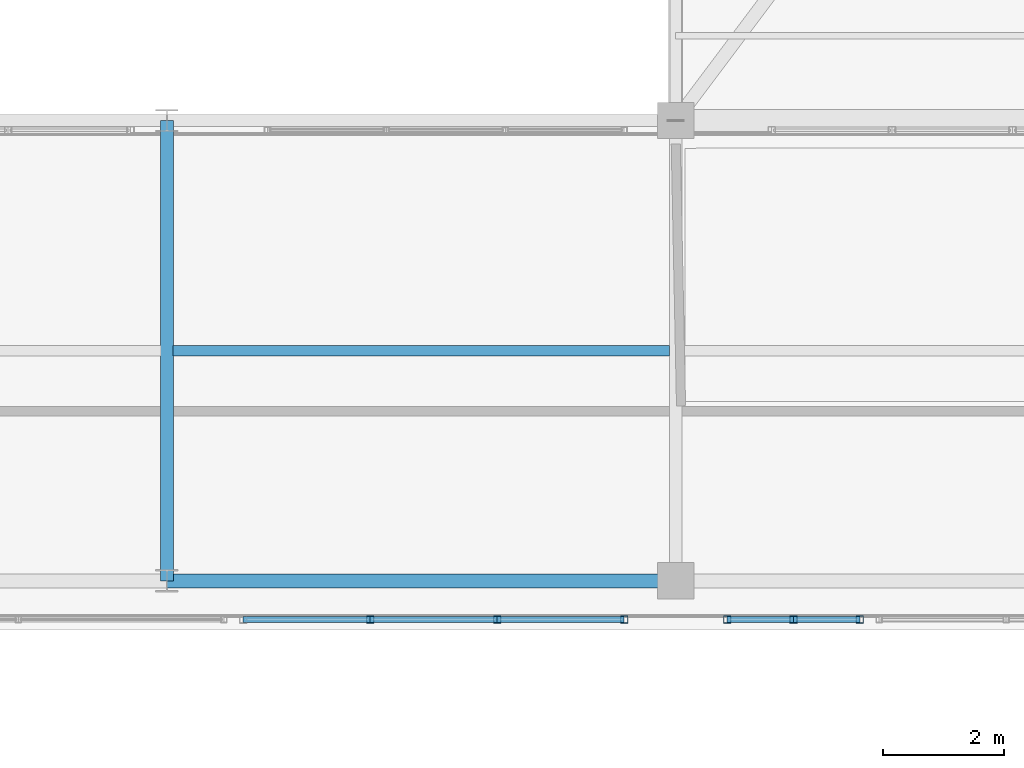
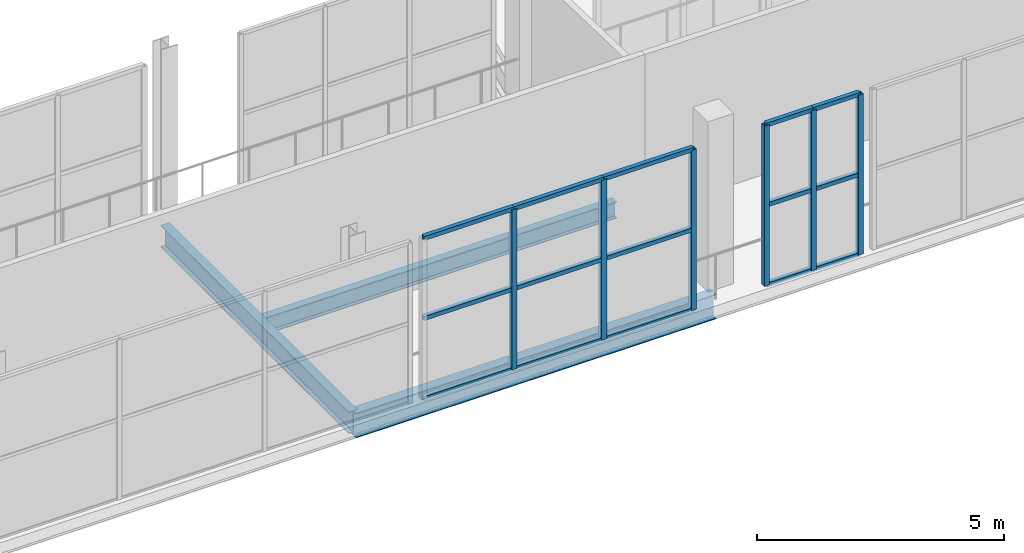
# One storey, part 61 of 217: 21 members, 3 beams, 2 elements without a shape of their own.
"""IFC4 building model written with IfcOpenShell, lengths in metres."""

from ifc_helpers import new_model, si_unit, direction, frame, origin, origin_2d, place, context, subcontext, project, spatial, hollow_rectangle, i_section, extrude, material, material_profile, profile_set, type_object, element, aggregate, save


model = new_model("IFC4")

# Units and contexts
model_context = context("Model", 3, precision=1e-05, world=origin(), true_north=direction((0.0, 1.0)))
body_context = subcontext(model_context, "Body", "Model", "MODEL_VIEW")
ifc_project = project(units=[si_unit("LENGTHUNIT", "METRE"), si_unit("AREAUNIT", "SQUARE_METRE"), si_unit("VOLUMEUNIT", "CUBIC_METRE"), si_unit("PLANEANGLEUNIT", "RADIAN"), si_unit("MASSUNIT", "GRAM", prefix="KILO")], contexts=[model_context])

# Site, building, storey
site_placement = place(None, origin())
site = spatial("IfcSite", under=ifc_project, at=site_placement, CompositionType="ELEMENT")
building_placement = place(site_placement, origin())
building = spatial("IfcBuilding", under=site, at=building_placement, Name="Zuvorla Pavilion Media Centre", CompositionType="ELEMENT")
storey_placement = place(building_placement, frame((0.0, 0.0, 9.60009765625)))
storey = spatial("IfcBuildingStorey", under=building, at=storey_placement, Name="L02", CompositionType="ELEMENT", Elevation=9.60009765625)

# Beams
ifc_material_1 = material(Name="Steel S355", Category="steel")
ifc_material_profile_1 = material_profile(ifc_material_1, i_section(OverallWidth=0.1787109375, OverallDepth=0.409423828125, WebThickness=0.0087890625, FlangeThickness=0.014404296875, FilletRadius=0.01025390625, at=origin_2d()), Name="UB 406x178x67")
ifc_profile_set_1 = profile_set([ifc_material_profile_1], Name="Steel S355")
beam_type_1 = type_object("IfcBeamType", Name="BM-UB406", PredefinedType="JOIST", material=ifc_profile_set_1)
beam_1_placement = place(storey_placement, frame((58.5, 85.800048828125, -0.472900390625), z_axis=(1.0, 0.0, 0.0), x_axis=(0.0, 1.0, 0.0)))
element("IfcBeam", 1, at=beam_1_placement, inside=storey, type_object=beam_type_1, Name="L02 joist J02 1006", PredefinedType="JOIST", context=body_context, shape_type="SweptSolid", body=[
    extrude(i_section(OverallWidth=0.1787109375, OverallDepth=0.409423828125, WebThickness=0.0087890625, FlangeThickness=0.014404296875, FilletRadius=0.01025390625, at=origin_2d()), origin(), (0.0, 0.0, 1.0), 8.199951171875),
])
ifc_material_profile_2 = material_profile(ifc_material_1, i_section(OverallWidth=0.2099609375, OverallDepth=0.53662109375, WebThickness=0.0107421875, FlangeThickness=0.017333984375, FilletRadius=0.0126953125, at=origin_2d()), Name="UB 533x210x101")
ifc_profile_set_2 = profile_set([ifc_material_profile_2], Name="Steel S355")
beam_type_2 = type_object("IfcBeamType", Name="BM-UB533", PredefinedType="BEAM", material=ifc_profile_set_2)
beam_2_placement = place(storey_placement, frame((58.39990234375, 82.0, -0.536376953125), z_axis=(0.0, 1.0, 0.0), x_axis=(-1.0, 0.0, 0.0)))
element("IfcBeam", 2, at=beam_2_placement, inside=storey, type_object=beam_type_2, Name="L02 beam B08 922", PredefinedType="BEAM", context=body_context, shape_type="SweptSolid", body=[
    extrude(i_section(OverallWidth=0.2099609375, OverallDepth=0.53662109375, WebThickness=0.0107421875, FlangeThickness=0.017333984375, FilletRadius=0.0126953125, at=origin_2d()), origin(), (0.0, 0.0, 1.0), 7.60009765625),
])
ifc_material_profile_3 = material_profile(ifc_material_1, i_section(OverallWidth=0.22900390625, OverallDepth=0.6123046875, WebThickness=0.011962890625, FlangeThickness=0.01953125, FilletRadius=0.0126953125, at=origin_2d()), Name="UB 610x229x125")
ifc_profile_set_3 = profile_set([ifc_material_profile_3], Name="Steel S355")
beam_type_3 = type_object("IfcBeamType", Name="BM-UB610", PredefinedType="BEAM", material=ifc_profile_set_3)
beam_3_placement = place(storey_placement, frame((58.39990234375, 82.0, -0.57421875), z_axis=(1.0, 0.0, 0.0), x_axis=(0.0, 1.0, 0.0)))
element("IfcBeam", 3, at=beam_3_placement, inside=storey, type_object=beam_type_3, Name="L02 beam B07 864", PredefinedType="BEAM", context=body_context, shape_type="SweptSolid", body=[
    extrude(i_section(OverallWidth=0.22900390625, OverallDepth=0.6123046875, WebThickness=0.011962890625, FlangeThickness=0.01953125, FilletRadius=0.0126953125, at=origin_2d()), origin(), (0.0, 0.0, 1.0), 8.400146484375),
])

# Curtain wall, members
ifc_material_2 = material(Name="Unitised anodised aluminium and solar glass curtain wall", Category="aluminium")
curtain_wall_type_1 = type_object("IfcCurtainWallType", Name="CW-SYS-38", PredefinedType="USERDEFINED", material=ifc_material_2)
curtain_wall_1_placement = place(storey_placement, origin())
curtain_wall_1 = element("IfcCurtainWall", 4, at=curtain_wall_1_placement, inside=storey, type_object=curtain_wall_type_1, Name="L02 curtain wall CW38 59", ObjectType="CURTAIN WALL", PredefinedType="USERDEFINED")
ifc_material_3 = material(Name="Anodised aluminium 6063-T6", Category="aluminium")
ifc_material_profile_4 = material_profile(ifc_material_3, hollow_rectangle(XDim=0.1201171875, YDim=0.1201171875, WallThickness=0.0048828125, at=origin_2d()), Name="ALU MULL 120x120")
ifc_profile_set_4 = profile_set([ifc_material_profile_4], Name="Anodised aluminium 6063-T6")
member_type_1 = type_object("IfcMemberType", Name="CW-MULL-120", PredefinedType="MULLION", material=ifc_profile_set_4)
member_1_placement = place(storey_placement, frame((69.840087890625, 81.360107421875, 0.0), z_axis=(0.0, 0.0, 1.0), x_axis=(1.0, 0.0, 0.0)))
member_1 = element("IfcMember", 5, at=member_1_placement, type_object=member_type_1, Name="CW38 mullion 1", PredefinedType="MULLION", context=body_context, shape_type="SweptSolid", body=[
    extrude(hollow_rectangle(XDim=0.1201171875, YDim=0.1201171875, WallThickness=0.0048828125, at=origin_2d()), origin(), (0.0, 0.0, 1.0), 3.949951171875),
])
member_2_placement = place(storey_placement, frame((68.7451171875, 81.360107421875, 0.0), z_axis=(0.0, 0.0, 1.0), x_axis=(1.0, 0.0, 0.0)))
member_2 = element("IfcMember", 6, at=member_2_placement, type_object=member_type_1, Name="CW38 mullion 2", PredefinedType="MULLION", context=body_context, shape_type="SweptSolid", body=[
    extrude(hollow_rectangle(XDim=0.1201171875, YDim=0.1201171875, WallThickness=0.0048828125, at=origin_2d()), origin(), (0.0, 0.0, 1.0), 3.949951171875),
])
member_3_placement = place(storey_placement, frame((67.650390625, 81.360107421875, 0.0), z_axis=(0.0, 0.0, 1.0), x_axis=(1.0, 0.0, 0.0)))
member_3 = element("IfcMember", 7, at=member_3_placement, type_object=member_type_1, Name="CW38 mullion 3", PredefinedType="MULLION", context=body_context, shape_type="SweptSolid", body=[
    extrude(hollow_rectangle(XDim=0.1201171875, YDim=0.1201171875, WallThickness=0.0048828125, at=origin_2d()), origin(), (0.0, 0.0, 1.0), 3.949951171875),
])

curtain_wall_type_2 = type_object("IfcCurtainWallType", Name="CW-SYS-39", PredefinedType="USERDEFINED", material=ifc_material_2)
curtain_wall_2_placement = place(storey_placement, origin())
curtain_wall_2 = element("IfcCurtainWall", 8, at=curtain_wall_2_placement, inside=storey, type_object=curtain_wall_type_2, Name="L02 curtain wall CW39 60", ObjectType="CURTAIN WALL", PredefinedType="USERDEFINED")
member_4_placement = place(storey_placement, frame((65.94970703125, 81.360107421875, 0.0), z_axis=(0.0, 0.0, 1.0), x_axis=(1.0, 0.0, 0.0)))
member_4 = element("IfcMember", 9, at=member_4_placement, type_object=member_type_1, Name="CW39 mullion 1", PredefinedType="MULLION", context=body_context, shape_type="SweptSolid", body=[
    extrude(hollow_rectangle(XDim=0.1201171875, YDim=0.1201171875, WallThickness=0.0048828125, at=origin_2d()), origin(), (0.0, 0.0, 1.0), 3.949951171875),
])
member_5_placement = place(storey_placement, frame((63.85302734375, 81.360107421875, 0.0), z_axis=(0.0, 0.0, 1.0), x_axis=(1.0, 0.0, 0.0)))
member_5 = element("IfcMember", 10, at=member_5_placement, type_object=member_type_1, Name="CW39 mullion 2", PredefinedType="MULLION", context=body_context, shape_type="SweptSolid", body=[
    extrude(hollow_rectangle(XDim=0.1201171875, YDim=0.1201171875, WallThickness=0.0048828125, at=origin_2d()), origin(), (0.0, 0.0, 1.0), 3.949951171875),
])
member_6_placement = place(storey_placement, frame((61.756591796875, 81.360107421875, 0.0), z_axis=(0.0, 0.0, 1.0), x_axis=(1.0, 0.0, 0.0)))
member_6 = element("IfcMember", 11, at=member_6_placement, type_object=member_type_1, Name="CW39 mullion 3", PredefinedType="MULLION", context=body_context, shape_type="SweptSolid", body=[
    extrude(hollow_rectangle(XDim=0.1201171875, YDim=0.1201171875, WallThickness=0.0048828125, at=origin_2d()), origin(), (0.0, 0.0, 1.0), 3.949951171875),
])

# Member
ifc_material_profile_5 = material_profile(ifc_material_3, hollow_rectangle(XDim=0.10009765625, YDim=0.10009765625, WallThickness=0.00439453125, at=origin_2d()), Name="ALU TRAN 100x100")
ifc_profile_set_5 = profile_set([ifc_material_profile_5], Name="Anodised aluminium 6063-T6")
member_type_2 = type_object("IfcMemberType", Name="CW-TRAN-100", PredefinedType="USERDEFINED", material=ifc_profile_set_5)
member_7_placement = place(storey_placement, frame((69.840087890625, 81.360107421875, 0.0), z_axis=(-1.0, 0.0, 0.0), x_axis=(0.0, -1.0, 0.0)))
member_7 = element("IfcMember", 12, at=member_7_placement, type_object=member_type_2, Name="CW38 transom 1.1", ObjectType="TRANSOM", PredefinedType="USERDEFINED", context=body_context, shape_type="SweptSolid", body=[
    extrude(hollow_rectangle(XDim=0.10009765625, YDim=0.10009765625, WallThickness=0.00439453125, at=origin_2d()), origin(), (0.0, 0.0, 1.0), 1.094970703125),
])

member_8_placement = place(storey_placement, frame((69.840087890625, 81.360107421875, 1.974853515625), z_axis=(-1.0, 0.0, 0.0), x_axis=(0.0, -1.0, 0.0)))
member_8 = element("IfcMember", 13, at=member_8_placement, type_object=member_type_2, Name="CW38 transom 1.2", ObjectType="TRANSOM", PredefinedType="USERDEFINED", context=body_context, shape_type="SweptSolid", body=[
    extrude(hollow_rectangle(XDim=0.10009765625, YDim=0.10009765625, WallThickness=0.00439453125, at=origin_2d()), origin(), (0.0, 0.0, 1.0), 1.094970703125),
])

member_9_placement = place(storey_placement, frame((69.840087890625, 81.360107421875, 3.949951171875), z_axis=(-1.0, 0.0, 0.0), x_axis=(0.0, -1.0, 0.0)))
member_9 = element("IfcMember", 14, at=member_9_placement, type_object=member_type_2, Name="CW38 transom 1.3", ObjectType="TRANSOM", PredefinedType="USERDEFINED", context=body_context, shape_type="SweptSolid", body=[
    extrude(hollow_rectangle(XDim=0.10009765625, YDim=0.10009765625, WallThickness=0.00439453125, at=origin_2d()), origin(), (0.0, 0.0, 1.0), 1.094970703125),
])

member_10_placement = place(storey_placement, frame((68.7451171875, 81.360107421875, 0.0), z_axis=(-1.0, 0.0, 0.0), x_axis=(0.0, -1.0, 0.0)))
member_10 = element("IfcMember", 15, at=member_10_placement, type_object=member_type_2, Name="CW38 transom 2.1", ObjectType="TRANSOM", PredefinedType="USERDEFINED", context=body_context, shape_type="SweptSolid", body=[
    extrude(hollow_rectangle(XDim=0.10009765625, YDim=0.10009765625, WallThickness=0.00439453125, at=origin_2d()), origin(), (0.0, 0.0, 1.0), 1.0947265625),
])

member_11_placement = place(storey_placement, frame((68.7451171875, 81.360107421875, 1.974853515625), z_axis=(-1.0, 0.0, 0.0), x_axis=(0.0, -1.0, 0.0)))
member_11 = element("IfcMember", 16, at=member_11_placement, type_object=member_type_2, Name="CW38 transom 2.2", ObjectType="TRANSOM", PredefinedType="USERDEFINED", context=body_context, shape_type="SweptSolid", body=[
    extrude(hollow_rectangle(XDim=0.10009765625, YDim=0.10009765625, WallThickness=0.00439453125, at=origin_2d()), origin(), (0.0, 0.0, 1.0), 1.0947265625),
])

member_12_placement = place(storey_placement, frame((68.7451171875, 81.360107421875, 3.949951171875), z_axis=(-1.0, 0.0, 0.0), x_axis=(0.0, -1.0, 0.0)))
member_12 = element("IfcMember", 17, at=member_12_placement, type_object=member_type_2, Name="CW38 transom 2.3", ObjectType="TRANSOM", PredefinedType="USERDEFINED", context=body_context, shape_type="SweptSolid", body=[
    extrude(hollow_rectangle(XDim=0.10009765625, YDim=0.10009765625, WallThickness=0.00439453125, at=origin_2d()), origin(), (0.0, 0.0, 1.0), 1.0947265625),
])

aggregate(curtain_wall_1, [member_1, member_2, member_3, member_7, member_8, member_9, member_10, member_11, member_12])

member_13_placement = place(storey_placement, frame((65.94970703125, 81.360107421875, 0.0), z_axis=(-1.0, 0.0, 0.0), x_axis=(0.0, -1.0, 0.0)))
member_13 = element("IfcMember", 18, at=member_13_placement, type_object=member_type_2, Name="CW39 transom 1.1", ObjectType="TRANSOM", PredefinedType="USERDEFINED", context=body_context, shape_type="SweptSolid", body=[
    extrude(hollow_rectangle(XDim=0.10009765625, YDim=0.10009765625, WallThickness=0.00439453125, at=origin_2d()), origin(), (0.0, 0.0, 1.0), 2.0966796875),
])

member_14_placement = place(storey_placement, frame((65.94970703125, 81.360107421875, 1.974853515625), z_axis=(-1.0, 0.0, 0.0), x_axis=(0.0, -1.0, 0.0)))
member_14 = element("IfcMember", 19, at=member_14_placement, type_object=member_type_2, Name="CW39 transom 1.2", ObjectType="TRANSOM", PredefinedType="USERDEFINED", context=body_context, shape_type="SweptSolid", body=[
    extrude(hollow_rectangle(XDim=0.10009765625, YDim=0.10009765625, WallThickness=0.00439453125, at=origin_2d()), origin(), (0.0, 0.0, 1.0), 2.0966796875),
])

member_15_placement = place(storey_placement, frame((65.94970703125, 81.360107421875, 3.949951171875), z_axis=(-1.0, 0.0, 0.0), x_axis=(0.0, -1.0, 0.0)))
member_15 = element("IfcMember", 20, at=member_15_placement, type_object=member_type_2, Name="CW39 transom 1.3", ObjectType="TRANSOM", PredefinedType="USERDEFINED", context=body_context, shape_type="SweptSolid", body=[
    extrude(hollow_rectangle(XDim=0.10009765625, YDim=0.10009765625, WallThickness=0.00439453125, at=origin_2d()), origin(), (0.0, 0.0, 1.0), 2.0966796875),
])

member_16_placement = place(storey_placement, frame((63.85302734375, 81.360107421875, 0.0), z_axis=(-1.0, 0.0, 0.0), x_axis=(0.0, -1.0, 0.0)))
member_16 = element("IfcMember", 21, at=member_16_placement, type_object=member_type_2, Name="CW39 transom 2.1", ObjectType="TRANSOM", PredefinedType="USERDEFINED", context=body_context, shape_type="SweptSolid", body=[
    extrude(hollow_rectangle(XDim=0.10009765625, YDim=0.10009765625, WallThickness=0.00439453125, at=origin_2d()), origin(), (0.0, 0.0, 1.0), 2.096435546875),
])

member_17_placement = place(storey_placement, frame((63.85302734375, 81.360107421875, 1.974853515625), z_axis=(-1.0, 0.0, 0.0), x_axis=(0.0, -1.0, 0.0)))
member_17 = element("IfcMember", 22, at=member_17_placement, type_object=member_type_2, Name="CW39 transom 2.2", ObjectType="TRANSOM", PredefinedType="USERDEFINED", context=body_context, shape_type="SweptSolid", body=[
    extrude(hollow_rectangle(XDim=0.10009765625, YDim=0.10009765625, WallThickness=0.00439453125, at=origin_2d()), origin(), (0.0, 0.0, 1.0), 2.096435546875),
])

member_18_placement = place(storey_placement, frame((63.85302734375, 81.360107421875, 3.949951171875), z_axis=(-1.0, 0.0, 0.0), x_axis=(0.0, -1.0, 0.0)))
member_18 = element("IfcMember", 23, at=member_18_placement, type_object=member_type_2, Name="CW39 transom 2.3", ObjectType="TRANSOM", PredefinedType="USERDEFINED", context=body_context, shape_type="SweptSolid", body=[
    extrude(hollow_rectangle(XDim=0.10009765625, YDim=0.10009765625, WallThickness=0.00439453125, at=origin_2d()), origin(), (0.0, 0.0, 1.0), 2.096435546875),
])

member_19_placement = place(storey_placement, frame((61.756591796875, 81.360107421875, 0.0), z_axis=(-1.0, 0.0, 0.0), x_axis=(0.0, -1.0, 0.0)))
member_19 = element("IfcMember", 24, at=member_19_placement, type_object=member_type_2, Name="CW39 transom 3.1", ObjectType="TRANSOM", PredefinedType="USERDEFINED", context=body_context, shape_type="SweptSolid", body=[
    extrude(hollow_rectangle(XDim=0.10009765625, YDim=0.10009765625, WallThickness=0.00439453125, at=origin_2d()), origin(), (0.0, 0.0, 1.0), 2.0966796875),
])

member_20_placement = place(storey_placement, frame((61.756591796875, 81.360107421875, 1.974853515625), z_axis=(-1.0, 0.0, 0.0), x_axis=(0.0, -1.0, 0.0)))
member_20 = element("IfcMember", 25, at=member_20_placement, type_object=member_type_2, Name="CW39 transom 3.2", ObjectType="TRANSOM", PredefinedType="USERDEFINED", context=body_context, shape_type="SweptSolid", body=[
    extrude(hollow_rectangle(XDim=0.10009765625, YDim=0.10009765625, WallThickness=0.00439453125, at=origin_2d()), origin(), (0.0, 0.0, 1.0), 2.0966796875),
])

member_21_placement = place(storey_placement, frame((61.756591796875, 81.360107421875, 3.949951171875), z_axis=(-1.0, 0.0, 0.0), x_axis=(0.0, -1.0, 0.0)))
member_21 = element("IfcMember", 26, at=member_21_placement, type_object=member_type_2, Name="CW39 transom 3.3", ObjectType="TRANSOM", PredefinedType="USERDEFINED", context=body_context, shape_type="SweptSolid", body=[
    extrude(hollow_rectangle(XDim=0.10009765625, YDim=0.10009765625, WallThickness=0.00439453125, at=origin_2d()), origin(), (0.0, 0.0, 1.0), 2.0966796875),
])

aggregate(curtain_wall_2, [member_4, member_5, member_6, member_13, member_14, member_15, member_16, member_17, member_18, member_19, member_20, member_21])

save(model, "model.ifc")
